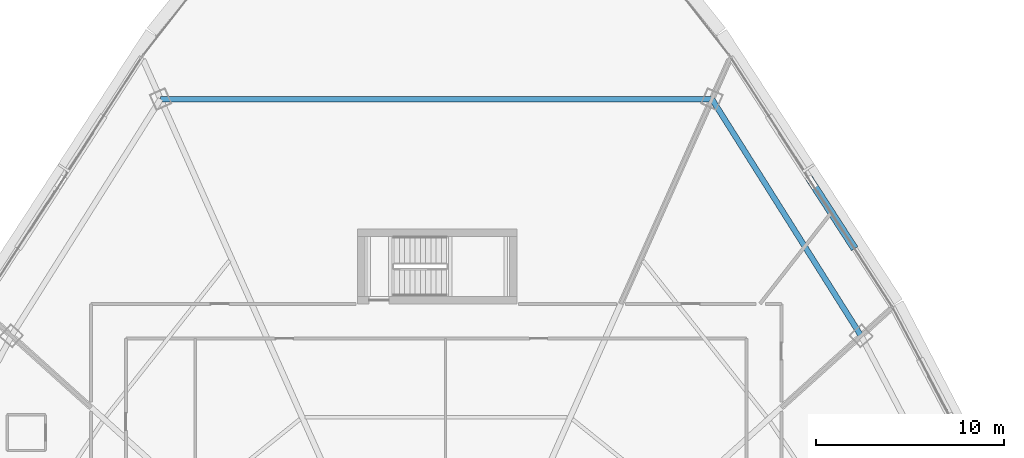
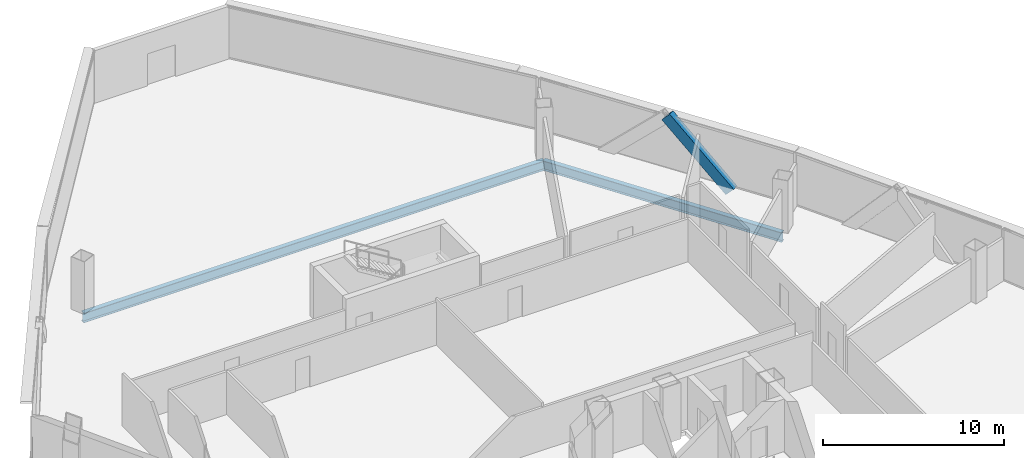
# One storey, part 21 of 40: 2 beams, 1 member.
"""IFC4 building model written with IfcOpenShell, lengths in metres."""

from ifc_helpers import new_model, si_unit, direction, frame, origin, origin_2d, place, context, subcontext, project, spatial, hollow_rectangle, i_section, extrude, source, transform, mapped, material, material_profile, profile_set, type_object, element, save


model = new_model("IFC4")

# Units and contexts
model_context = context("Model", 3, precision=1e-05, world=origin(), true_north=direction((0.0, 1.0)))
body_context = subcontext(model_context, "Body", "Model", "MODEL_VIEW")
ifc_project = project(units=[si_unit("LENGTHUNIT", "METRE"), si_unit("AREAUNIT", "SQUARE_METRE"), si_unit("VOLUMEUNIT", "CUBIC_METRE"), si_unit("PLANEANGLEUNIT", "RADIAN"), si_unit("MASSUNIT", "GRAM", prefix="KILO"), si_unit("THERMODYNAMICTEMPERATUREUNIT", "KELVIN"), si_unit("POWERUNIT", "WATT")], contexts=[model_context])

# Site, building, storey
site_placement = place(None, origin())
site = spatial("IfcSite", under=ifc_project, at=site_placement, CompositionType="ELEMENT")
building_placement = place(site_placement, origin())
building = spatial("IfcBuilding", under=site, at=building_placement, Name="Yunzhuo Pagoda Commons", CompositionType="ELEMENT")
storey_placement = place(building_placement, frame((0.0, 0.0, 180.9599609375)))
storey = spatial("IfcBuildingStorey", under=building, at=storey_placement, Name="L45", CompositionType="ELEMENT", Elevation=180.9599609375)

# Beams
ifc_material = material(Name="Structural steel Q355B", Category="steel")
ifc_material_profile_1 = material_profile(ifc_material, i_section(OverallWidth=0.300048828125, OverallDepth=0.64990234375, WebThickness=0.012939453125, FlangeThickness=0.02197265625, at=origin_2d()), Name="Structural steel Q355B")
ifc_profile_set_1 = profile_set([ifc_material_profile_1], Name="Structural steel Q355B")
beam_type = type_object("IfcBeamType", Name="B-RG2 Beam HN 650x300x13x22", PredefinedType="BEAM", material=ifc_profile_set_1)
shared_shape_1 = source(origin(), body_context, "Body", "SweptSolid", [
    extrude(i_section(OverallWidth=0.300048828125, OverallDepth=0.64990234375, WebThickness=0.012939453125, FlangeThickness=0.02197265625, at=origin_2d()), origin(), (0.0, 0.0, 1.0), 14.916015625),
])
beam_1_placement = place(storey_placement, frame((70.650634765625, 54.0947265625, -0.5849609375), z_axis=(-0.533092374013, 0.846057043449, 0.0), x_axis=(-0.846057043449, -0.533092374013, 0.0)))
element("IfcBeam", 1, at=beam_1_placement, inside=storey, type_object=beam_type, Name="L45 column-ring beam 7", PredefinedType="BEAM", context=body_context, shape_type="MappedRepresentation", body=[
    mapped(shared_shape_1, transform((0.0, 0.0, 0.0), scale=1.0)),
])
shared_shape_2 = source(origin(), body_context, "Body", "SweptSolid", [
    extrude(i_section(OverallWidth=0.300048828125, OverallDepth=0.64990234375, WebThickness=0.012939453125, FlangeThickness=0.02197265625, at=origin_2d()), origin(), (0.0, 0.0, 1.0), 29.39794921875),
])
beam_2_placement = place(storey_placement, frame((62.698974609375, 66.714599609375, -0.5849609375), z_axis=(-1.0, 0.0, 0.0), x_axis=(0.0, -1.0, 0.0)))
element("IfcBeam", 2, at=beam_2_placement, inside=storey, type_object=beam_type, Name="L45 column-ring beam 8", PredefinedType="BEAM", context=body_context, shape_type="MappedRepresentation", body=[
    mapped(shared_shape_2, transform((0.0, 0.0, 0.0), scale=1.0)),
])

# Member
ifc_material_profile_2 = material_profile(ifc_material, hollow_rectangle(XDim=0.39990234375, YDim=0.719970703125, WallThickness=0.02392578125, at=origin_2d()), Name="Structural steel Q355B")
ifc_profile_set_2 = profile_set([ifc_material_profile_2], Name="Structural steel Q355B")
member_type = type_object("IfcMemberType", Name="M-DL2 Brace BOX 720x400x24", PredefinedType="BRACE", material=ifc_profile_set_2)
shared_shape_3 = source(origin(), body_context, "Body", "SweptSolid", [
    extrude(hollow_rectangle(XDim=0.39990234375, YDim=0.719970703125, WallThickness=0.02392578125, at=origin_2d()), origin(), (0.0, 0.0, 1.0), 5.499267578125),
])
member_placement = place(storey_placement, frame((70.176513671875, 58.94921875, -0.260009765625), z_axis=(-0.392638599745, 0.606893900783, 0.691024401293), x_axis=(-0.839606407848, -0.543195250256, 0.0)))
element("IfcMember", 3, at=member_placement, inside=storey, type_object=member_type, Name="L45 facade diamond brace F2.3L", PredefinedType="BRACE", context=body_context, shape_type="MappedRepresentation", body=[
    mapped(shared_shape_3, transform((0.0, 0.0, 0.0), scale=1.0)),
])

save(model, "model.ifc")
